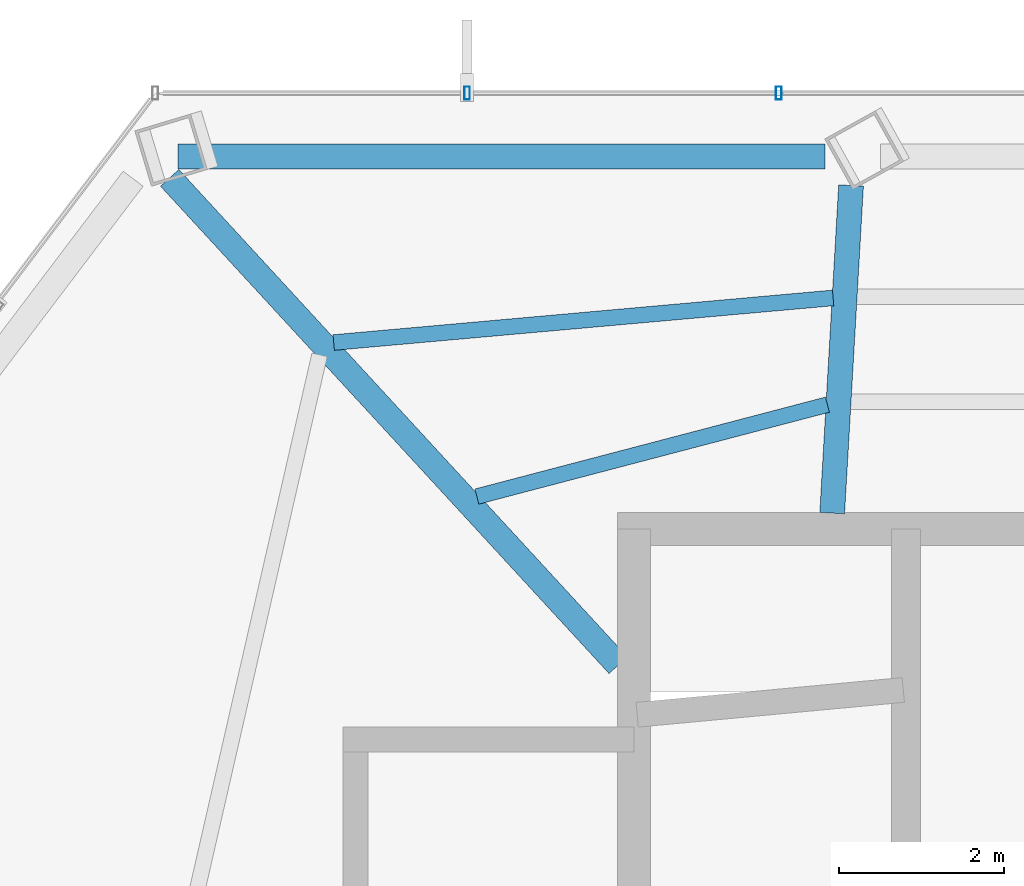
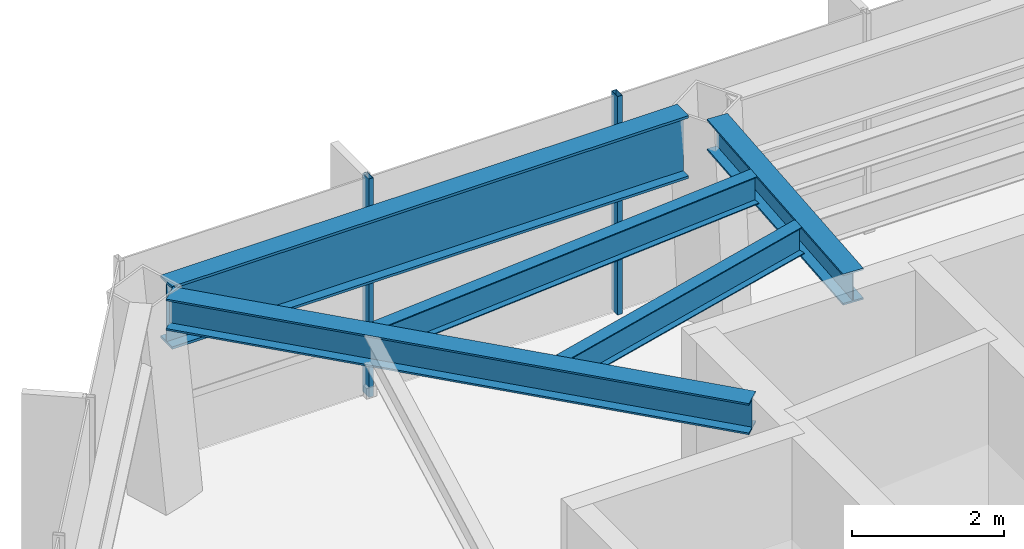
# One storey, part 12 of 27: 5 beams, 2 members, 1 element without a shape of its own.
"""IFC4 building model written with IfcOpenShell, lengths in metres."""

from ifc_helpers import new_model, si_unit, direction, frame, origin, origin_2d, place, context, subcontext, project, spatial, hollow_rectangle, i_section, extrude, material, layer, layer_set, material_profile, profile_set, type_object, element, aggregate, save


model = new_model("IFC4")

# Units and contexts
model_context = context("Model", 3, precision=1e-05, world=origin(), true_north=direction((0.0, 1.0)))
body_context = subcontext(model_context, "Body", "Model", "MODEL_VIEW")
ifc_project = project(units=[si_unit("LENGTHUNIT", "METRE"), si_unit("AREAUNIT", "SQUARE_METRE"), si_unit("VOLUMEUNIT", "CUBIC_METRE"), si_unit("PLANEANGLEUNIT", "RADIAN"), si_unit("MASSUNIT", "GRAM", prefix="KILO")], contexts=[model_context])

# Site, building, storey
site_placement = place(None, origin())
site = spatial("IfcSite", under=ifc_project, at=site_placement, CompositionType="ELEMENT")
building_placement = place(site_placement, origin())
building = spatial("IfcBuilding", under=site, at=building_placement, Name="Zarrinselat Tower", CompositionType="ELEMENT")
storey_placement = place(building_placement, frame((0.0, 0.0, 183.260009765625)))
storey = spatial("IfcBuildingStorey", under=building, at=storey_placement, Name="L45", CompositionType="ELEMENT", Elevation=183.260009765625)

# Beams
ifc_material_1 = material(Name="Steel S355J2", Category="steel")
ifc_material_profile_1 = material_profile(ifc_material_1, i_section(OverallWidth=0.300048828125, OverallDepth=0.5, WebThickness=0.014404296875, FlangeThickness=0.028076171875, at=origin_2d()), Name="HEB 500")
ifc_profile_set_1 = profile_set([ifc_material_profile_1], Name="Steel S355J2")
beam_type_1 = type_object("IfcBeamType", Name="BM-HEB500", PredefinedType="BEAM", material=ifc_profile_set_1)
beam_1_placement = place(storey_placement, frame((31.0, 43.639892578125, 3.25), z_axis=(0.057485762718, 0.998346326224, 0.0), x_axis=(-0.998346326224, 0.057485762718, 0.0)))
element("IfcBeam", 1, at=beam_1_placement, inside=storey, type_object=beam_type_1, Name="L45 Radial Primary Girder RG04", PredefinedType="BEAM", context=body_context, shape_type="SweptSolid", body=[
    extrude(i_section(OverallWidth=0.300048828125, OverallDepth=0.5, WebThickness=0.014404296875, FlangeThickness=0.028076171875, at=origin_2d()), origin(), (0.0, 0.0, 1.0), 3.970947265625),
])
beam_2_placement = place(storey_placement, frame((22.983154296875, 47.696533203125, 3.25), z_axis=(0.677191159848, -0.735807130316, 0.0), x_axis=(0.735807130316, 0.677191159848, 0.0)))
element("IfcBeam", 2, at=beam_2_placement, inside=storey, type_object=beam_type_1, Name="L45 Radial Primary Girder RG05", PredefinedType="BEAM", context=body_context, shape_type="SweptSolid", body=[
    extrude(i_section(OverallWidth=0.300048828125, OverallDepth=0.5, WebThickness=0.014404296875, FlangeThickness=0.028076171875, at=origin_2d()), origin(), (0.0, 0.0, 1.0), 8.013671875),
])
ifc_material_2 = material(Name="Steel S460M", Category="steel")
ifc_material_profile_2 = material_profile(ifc_material_2, i_section(OverallWidth=0.302001953125, OverallDepth=1.008056640625, WebThickness=0.02099609375, FlangeThickness=0.0400390625, at=origin_2d()), Name="HEM 1000")
ifc_profile_set_2 = profile_set([ifc_material_profile_2], Name="Steel S460M")
beam_type_2 = type_object("IfcBeamType", Name="BM-HEM1000", PredefinedType="BEAM", material=ifc_profile_set_2)
beam_3_placement = place(storey_placement, frame((23.082763671875, 47.95556640625, 2.99609375), z_axis=(1.0, 0.0, 0.0), x_axis=(0.0, 1.0, 0.0)))
element("IfcBeam", 3, at=beam_3_placement, inside=storey, type_object=beam_type_2, Name="L45 Perimeter Spandrel Girder SP04", PredefinedType="BEAM", context=body_context, shape_type="SweptSolid", body=[
    extrude(i_section(OverallWidth=0.302001953125, OverallDepth=1.008056640625, WebThickness=0.02099609375, FlangeThickness=0.0400390625, at=origin_2d()), origin(), (0.0, 0.0, 1.0), 7.82763671875),
])
ifc_material_3 = material(Name="Steel S355J2", Category="steel")
ifc_material_profile_3 = material_profile(ifc_material_3, i_section(OverallWidth=0.18994140625, OverallDepth=0.449951171875, WebThickness=0.009521484375, FlangeThickness=0.0146484375, at=origin_2d()), Name="IPE 450")
ifc_profile_set_3 = profile_set([ifc_material_profile_3], Name="Steel S355J2")
beam_type_3 = type_object("IfcBeamType", Name="BM-IPE450", PredefinedType="JOIST", material=ifc_profile_set_3)
beam_4_placement = place(storey_placement, frame((24.9677734375, 45.7041015625, 3.27490234375), z_axis=(0.996034777035, 0.088964728611, 0.0), x_axis=(-0.088964728611, 0.996034777035, 0.0)))
element("IfcBeam", 4, at=beam_4_placement, inside=storey, type_object=beam_type_3, Name="L45 Composite Floor Joist 9-1", PredefinedType="JOIST", context=body_context, shape_type="SweptSolid", body=[
    extrude(i_section(OverallWidth=0.18994140625, OverallDepth=0.449951171875, WebThickness=0.009521484375, FlangeThickness=0.0146484375, at=origin_2d()), origin(), (0.0, 0.0, 1.0), 6.067626953125),
])
beam_5_placement = place(storey_placement, frame((26.7001953125, 43.84033203125, 3.27490234375), z_axis=(0.967312093339, 0.253588868211, 0.0), x_axis=(-0.253588868211, 0.967312093339, 0.0)))
element("IfcBeam", 5, at=beam_5_placement, inside=storey, type_object=beam_type_3, Name="L45 Composite Floor Joist 9-2", PredefinedType="JOIST", context=body_context, shape_type="SweptSolid", body=[
    extrude(i_section(OverallWidth=0.18994140625, OverallDepth=0.449951171875, WebThickness=0.009521484375, FlangeThickness=0.0146484375, at=origin_2d()), origin(), (0.0, 0.0, 1.0), 4.38525390625),
])

# Curtain wall, members
ifc_material_4 = material(Name="Extruded Aluminium Alloy EN AW-6063 T6", Category="aluminium")
ifc_layer = layer(ifc_material_4, 0.175048828125)
ifc_layer_set = layer_set([ifc_layer], Name="Extruded Aluminium Alloy EN AW-6063 T6")
curtain_wall_type = type_object("IfcCurtainWallType", Name="CWS-HTL", PredefinedType="NOTDEFINED", material=ifc_layer_set)
curtain_wall_placement = place(storey_placement, origin())
curtain_wall = element("IfcCurtainWall", 6, at=curtain_wall_placement, inside=storey, type_object=curtain_wall_type, Name="L45 Unitised Curtain Wall CW-L45-E01", PredefinedType="NOTDEFINED")
ifc_material_5 = material(Name="Extruded Aluminium Alloy EN AW-6063 T6", Category="aluminium")
ifc_material_profile_4 = material_profile(ifc_material_5, hollow_rectangle(XDim=0.070068359375, YDim=0.159912109375, WallThickness=0.00390625, at=origin_2d()), Name="RHS 160x70x4")
ifc_profile_set_4 = profile_set([ifc_material_profile_4], Name="Extruded Aluminium Alloy EN AW-6063 T6")
member_type = type_object("IfcMemberType", Name="MEM-CW-MUL2", PredefinedType="MULLION", material=ifc_profile_set_4)
member_1_placement = place(storey_placement, frame((30.35400390625, 48.72216796875, 0.0), z_axis=(0.0, 0.0, 1.0), x_axis=(-1.0, 0.0, 0.0)))
member_1 = element("IfcMember", 7, at=member_1_placement, type_object=member_type, Name="CW-L45-E01 Mullion 8", PredefinedType="MULLION", context=body_context, shape_type="SweptSolid", body=[
    extrude(hollow_rectangle(XDim=0.070068359375, YDim=0.159912109375, WallThickness=0.00390625, at=origin_2d()), origin(), (0.0, 0.0, 1.0), 3.5),
])
member_2_placement = place(storey_placement, frame((26.58203125, 48.72216796875, 0.0), z_axis=(0.0, 0.0, 1.0), x_axis=(-1.0, 0.0, 0.0)))
member_2 = element("IfcMember", 8, at=member_2_placement, type_object=member_type, Name="CW-L45-E01 Mullion 9", PredefinedType="MULLION", context=body_context, shape_type="SweptSolid", body=[
    extrude(hollow_rectangle(XDim=0.070068359375, YDim=0.159912109375, WallThickness=0.00390625, at=origin_2d()), origin(), (0.0, 0.0, 1.0), 3.5),
])
aggregate(curtain_wall, [member_1, member_2])

save(model, "model.ifc")
